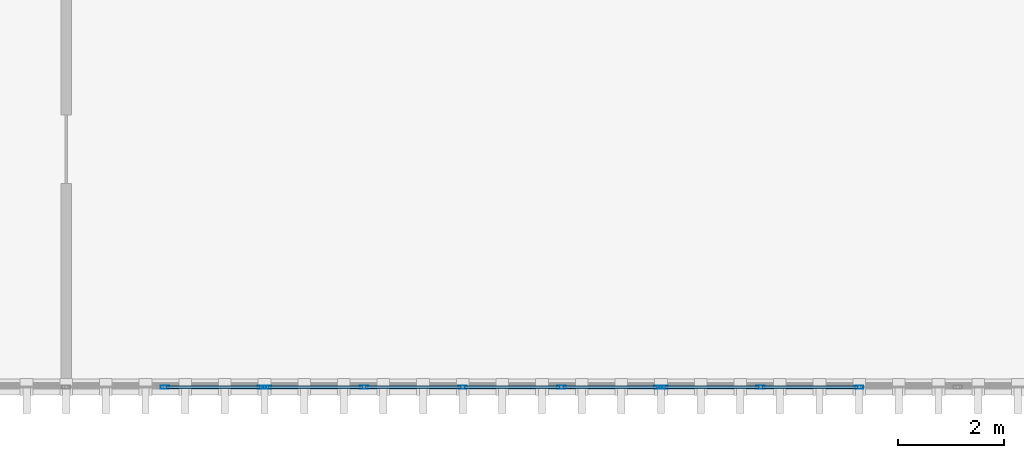
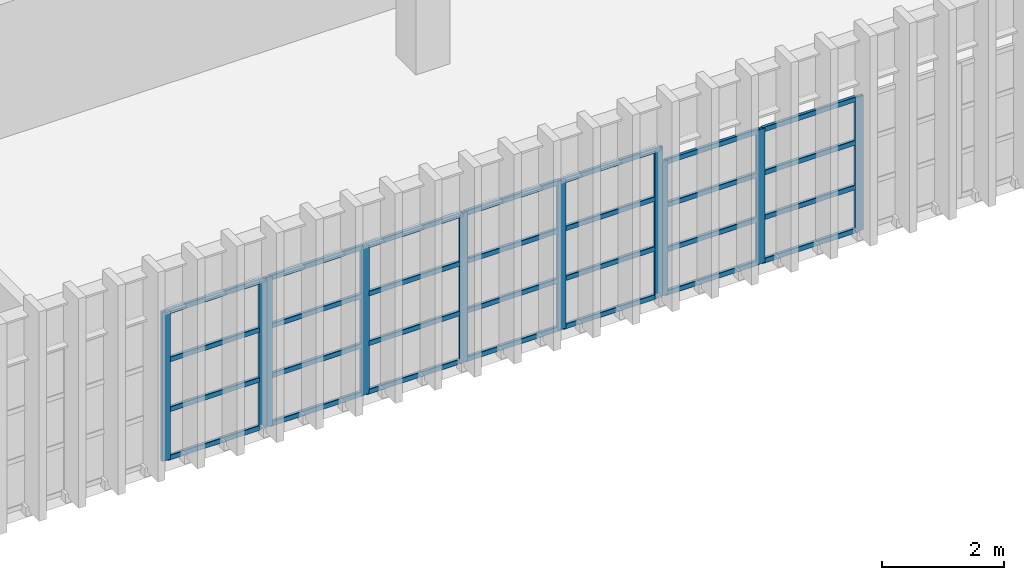
# One storey, part 14 of 51: 38 members, 3 elements without a shape of their own.
"""IFC4 building model written with IfcOpenShell, lengths in metres."""

import ifcopenshell
import ifcopenshell.guid

model = None  # the IFC model being written
_history = None  # IfcOwnerHistory: only IFC2X3 demands one
_inside = {}  # id of a spatial element -> (the spatial element, [elements in it])
_under = {}  # id of a project, library or spatial element -> (it, [spatial elements below it])
_declared = {}  # id of a project -> (the project, [libraries it declares])
_typed = {}  # id of a type object -> (the type object, [elements of that type])
_made_of = {}  # id of a material, layer set ... -> (it, [elements and type objects made of it])


def new_model(schema):
    """Start an empty IFC model of exactly this schema.

    Asked for "IFC4X3", IfcOpenShell would pick the latest addendum, in which some entities
    have other attributes; the version numbers below select the first issue.
    IFC2X3 requires an IfcOwnerHistory on every rooted entity: one is made here for all.
    """
    global model, _history
    if schema == "IFC4X3":
        model = ifcopenshell.file(schema_version=(4, 3, 0, 0))
    else:
        model = ifcopenshell.file(schema=schema)
    _inside.clear()
    _under.clear()
    _declared.clear()
    _typed.clear()
    _made_of.clear()
    _history = None
    if model.schema == "IFC2X3":
        org = make("IfcOrganization", Name="unknown")
        user = make(
            "IfcPersonAndOrganization",
            ThePerson=make("IfcPerson", FamilyName="unknown"),
            TheOrganization=org,
        )
        app = make(
            "IfcApplication",
            ApplicationDeveloper=org,
            Version="unknown",
            ApplicationFullName="unknown",
            ApplicationIdentifier="unknown",
        )
        _history = make(
            "IfcOwnerHistory",
            OwningUser=user,
            OwningApplication=app,
            ChangeAction="ADDED",
            CreationDate=0,
        )
    return model


def make(cls, **values):
    """One entity of the class cls with the attributes given. An attribute that is None is left unset."""
    return model.create_entity(
        cls, **{name: value for name, value in values.items() if value is not None}
    )


def rooted(cls, **values):
    """An entity with a GlobalId (a new one), such as an element, a storey or a relation."""
    return make(cls, GlobalId=ifcopenshell.guid.new(), OwnerHistory=_history, **values)


def si_unit(unit_type, name, prefix=None):
    """IfcSIUnit, for example si_unit("LENGTHUNIT", "METRE", prefix="MILLI")."""
    return make("IfcSIUnit", UnitType=unit_type, Prefix=prefix, Name=name)


def assignment(units):
    """IfcUnitAssignment: the units of a project."""
    return None if units is None else make("IfcUnitAssignment", Units=units)


def point(xyz):
    """IfcCartesianPoint."""
    return None if xyz is None else make("IfcCartesianPoint", Coordinates=xyz)


def direction(xyz):
    """IfcDirection."""
    return None if xyz is None else make("IfcDirection", DirectionRatios=xyz)


def frame(location, z_axis=None, x_axis=None):
    """IfcAxis2Placement3D, a coordinate frame: its origin and axes. An axis left out is left unset."""
    return make(
        "IfcAxis2Placement3D",
        Location=point(location),
        Axis=direction(z_axis),
        RefDirection=direction(x_axis),
    )


def frame_2d(location, x_axis=None):
    """IfcAxis2Placement2D, a coordinate frame in the plane: its origin and x axis."""
    return make(
        "IfcAxis2Placement2D", Location=point(location), RefDirection=direction(x_axis)
    )


def origin():
    """The frame at (0, 0, 0) with its axes left unset."""
    return frame((0.0, 0.0, 0.0))


def origin_2d():
    """The frame at (0, 0) in the plane with its x axis left unset."""
    return frame_2d((0.0, 0.0))


def place(relative_to, where):
    """IfcLocalPlacement: puts the frame where relative to a parent placement (None: the world)."""
    return make(
        "IfcLocalPlacement", PlacementRelTo=relative_to, RelativePlacement=where
    )


def context(
    kind, dimensions, precision=None, world=None, true_north=None, identifier=None
):
    """IfcGeometricRepresentationContext, for example the 3D "Model" context."""
    return make(
        "IfcGeometricRepresentationContext",
        ContextIdentifier=identifier,
        ContextType=kind,
        CoordinateSpaceDimension=dimensions,
        Precision=precision,
        WorldCoordinateSystem=world,
        TrueNorth=true_north,
    )


def subcontext(parent, identifier, kind, view, scale=None):
    """IfcGeometricRepresentationSubContext, for example "Body" below "Model"."""
    return make(
        "IfcGeometricRepresentationSubContext",
        ContextIdentifier=identifier,
        ContextType=kind,
        ParentContext=parent,
        TargetScale=scale,
        TargetView=view,
    )


def project(units=None, contexts=None):
    """IfcProject with its units and contexts."""
    return rooted(
        "IfcProject",
        Name="project",
        RepresentationContexts=contexts,
        UnitsInContext=assignment(units),
    )


def spatial(cls, under=None, at=None, **own):
    """A site, building, storey or space (cls), placed at a placement, below another one or the project."""
    s = rooted(cls, ObjectPlacement=at, **own)
    if under is not None:
        _under.setdefault(under.id(), (under, []))[1].append(s)
    return s


def profile(cls, at=None, kind="AREA", **sizes):
    """A parametric profile (cls). Its sizes go by their IFC names, for example OverallWidth=200.0."""
    return make(cls, ProfileType=kind, Position=at, **sizes)


def hollow_rectangle(**sizes):
    """IfcRectangleHollowProfileDef."""
    return profile("IfcRectangleHollowProfileDef", **sizes)


def extrude(swept, where, along, depth):
    """IfcExtrudedAreaSolid: the profile swept, set in the frame where, extruded along a direction by depth."""
    return make(
        "IfcExtrudedAreaSolid",
        SweptArea=swept,
        Position=where,
        ExtrudedDirection=direction(along),
        Depth=depth,
    )


def shape(context_of_items, identifier, shape_type, items):
    """IfcShapeRepresentation: the items that make up one representation, for example the "Body"."""
    return make(
        "IfcShapeRepresentation",
        ContextOfItems=context_of_items,
        RepresentationIdentifier=identifier,
        RepresentationType=shape_type,
        Items=items,
    )


def material(Name=None, Category=None):
    """IfcMaterial."""
    return make("IfcMaterial", Name=Name, Category=Category)


def material_profile(
    of_material, cross_section, Name=None, Category=None, Priority=None
):
    """IfcMaterialProfile: a cross section and its material."""
    return make(
        "IfcMaterialProfile",
        Name=Name,
        Material=of_material,
        Profile=cross_section,
        Priority=Priority,
        Category=Category,
    )


def profile_set(profiles, Name=None, composite=None):
    """IfcMaterialProfileSet."""
    return make(
        "IfcMaterialProfileSet",
        Name=Name,
        MaterialProfiles=profiles,
        CompositeProfile=composite,
    )


def made_of(thing, what):
    """Note that an element or type object is made of a material, layer set ...; save() writes the relation."""
    if what is not None:
        _made_of.setdefault(what.id(), (what, []))[1].append(thing)
    return thing


def type_object(cls, material=None, **own):
    """A type object (cls), such as IfcWallType, which elements share."""
    return made_of(rooted(cls, **own), material)


def element(
    cls,
    number,
    at=None,
    inside=None,
    cuts=None,
    type_object=None,
    material=None,
    context=None,
    identifier="Body",
    shape_type=None,
    held_by="IfcProductDefinitionShape",
    body=None,
    shapes=None,
    **own,
):
    """One element of the class cls, such as IfcWall. Its Tag is "e" and its number.

    at: its placement. inside: the storey or other place that contains it. cuts: it is an
    opening in that element (IfcRelVoidsElement). A single representation is given by context,
    identifier, shape_type and body (its items); several are given by shapes. held_by: the class
    of the entity that holds the representations. save() writes the other relations.
    """
    e = rooted(cls, Tag="e%d" % number, ObjectPlacement=at, **own)
    if body is not None:
        shapes = [shape(context, identifier, shape_type, body)]
    if shapes is not None:
        e.Representation = make(held_by, Representations=shapes)
    if inside is not None:
        _inside.setdefault(inside.id(), (inside, []))[1].append(e)
    if cuts is not None:
        rooted(
            "IfcRelVoidsElement", RelatingBuildingElement=cuts, RelatedOpeningElement=e
        )
    if type_object is not None:
        _typed.setdefault(type_object.id(), (type_object, []))[1].append(e)
    return made_of(e, material)


def aggregate(whole, parts):
    """IfcRelAggregates: a whole, such as a stair, and the parts it consists of."""
    return rooted("IfcRelAggregates", RelatingObject=whole, RelatedObjects=parts)


def save(model, path):
    """Write the relations noted so far, then the file.

    IfcRelAggregates (storeys below a building ...), IfcRelContainedInSpatialStructure (elements
    in a storey), IfcRelDefinesByType, IfcRelAssociatesMaterial and IfcRelDeclares: one each for
    every whole, place, type object, material and project.
    """
    for whole, parts in _under.values():
        aggregate(whole, parts)
    for where, things in _inside.values():
        rooted(
            "IfcRelContainedInSpatialStructure",
            RelatedElements=things,
            RelatingStructure=where,
        )
    for kind, things in _typed.values():
        rooted("IfcRelDefinesByType", RelatedObjects=things, RelatingType=kind)
    for what, things in _made_of.values():
        rooted("IfcRelAssociatesMaterial", RelatedObjects=things, RelatingMaterial=what)
    for by, libraries in _declared.values():
        rooted("IfcRelDeclares", RelatingContext=by, RelatedDefinitions=libraries)
    model.write(path)


model = new_model("IFC4")

# Units and contexts
model_context = context("Model", 3, precision=1e-05, world=origin(), true_north=direction((0.0, 1.0)))
body_context = subcontext(model_context, "Body", "Model", "MODEL_VIEW")
ifc_project = project(units=[si_unit("LENGTHUNIT", "METRE"), si_unit("AREAUNIT", "SQUARE_METRE"), si_unit("VOLUMEUNIT", "CUBIC_METRE"), si_unit("PLANEANGLEUNIT", "RADIAN"), si_unit("MASSUNIT", "GRAM", prefix="KILO")], contexts=[model_context])

# Site, building, storey
site_placement = place(None, origin())
site = spatial("IfcSite", under=ifc_project, at=site_placement, CompositionType="ELEMENT")
building_placement = place(site_placement, origin())
building = spatial("IfcBuilding", under=site, at=building_placement, Name="Qasida Concert Hall", CompositionType="ELEMENT")
storey_placement = place(building_placement, frame((0.0, 0.0, 21.0)))
storey = spatial("IfcBuildingStorey", under=building, at=storey_placement, Name="L05", CompositionType="ELEMENT", Elevation=21.0)

# Curtain wall, members
ifc_material_1 = material(Name="Architectural bronze-anodized aluminium and low-E glass", Category="aluminium")
curtain_wall_type = type_object("IfcCurtainWallType", Name="CW-05", PredefinedType="NOTDEFINED", material=ifc_material_1)
curtain_wall_1_placement = place(storey_placement, origin())
curtain_wall_1 = element("IfcCurtainWall", 1, at=curtain_wall_1_placement, inside=storey, type_object=curtain_wall_type, Name="L05 curtain wall CW-05 0032", PredefinedType="NOTDEFINED")
ifc_material_2 = material(Name="Architectural bronze-anodized aluminium EN AW-6063", Category="aluminium")
ifc_material_profile_1 = material_profile(ifc_material_2, hollow_rectangle(XDim=0.06005859375, YDim=0.159912109375, WallThickness=0.00390625, InnerFilletRadius=0.00390625, OuterFilletRadius=0.008056640625, at=origin_2d()), Name="CWM 160x60x4")
ifc_profile_set_1 = profile_set([ifc_material_profile_1], Name="Architectural bronze-anodized aluminium EN AW-6063")
member_type_1 = type_object("IfcMemberType", Name="MB-CWM-3", PredefinedType="MULLION", material=ifc_profile_set_1)
member_1_placement = place(storey_placement, frame((80.614990234375, 14.699951171875, 0.0), z_axis=(0.0, 0.0, 1.0), x_axis=(0.0, 1.0, 0.0)))
member_1 = element("IfcMember", 2, at=member_1_placement, type_object=member_type_1, Name="CW-05 mullion 4", PredefinedType="MULLION", context=body_context, shape_type="SweptSolid", body=[
    extrude(hollow_rectangle(XDim=0.06005859375, YDim=0.159912109375, WallThickness=0.00390625, InnerFilletRadius=0.00390625, OuterFilletRadius=0.008056640625, at=origin_2d()), origin(), (0.0, 0.0, 1.0), 2.989990234375),
])
member_2_placement = place(storey_placement, frame((82.449951171875, 14.699951171875, 0.0), z_axis=(0.0, 0.0, 1.0), x_axis=(0.0, 1.0, 0.0)))
member_2 = element("IfcMember", 3, at=member_2_placement, type_object=member_type_1, Name="CW-05 mullion 5", PredefinedType="MULLION", context=body_context, shape_type="SweptSolid", body=[
    extrude(hollow_rectangle(XDim=0.06005859375, YDim=0.159912109375, WallThickness=0.00390625, InnerFilletRadius=0.00390625, OuterFilletRadius=0.008056640625, at=origin_2d()), origin(), (0.0, 0.0, 1.0), 2.989990234375),
])

curtain_wall_2_placement = place(storey_placement, origin())
curtain_wall_2 = element("IfcCurtainWall", 4, at=curtain_wall_2_placement, inside=storey, type_object=curtain_wall_type, Name="L05 curtain wall CW-05 0033", PredefinedType="NOTDEFINED")
member_3_placement = place(storey_placement, frame((82.550048828125, 14.699951171875, 0.0), z_axis=(0.0, 0.0, 1.0), x_axis=(0.0, 1.0, 0.0)))
member_3 = element("IfcMember", 5, at=member_3_placement, type_object=member_type_1, Name="CW-05 mullion 1", PredefinedType="MULLION", context=body_context, shape_type="SweptSolid", body=[
    extrude(hollow_rectangle(XDim=0.06005859375, YDim=0.159912109375, WallThickness=0.00390625, InnerFilletRadius=0.00390625, OuterFilletRadius=0.008056640625, at=origin_2d()), origin(), (0.0, 0.0, 1.0), 2.989990234375),
])
member_4_placement = place(storey_placement, frame((84.385009765625, 14.699951171875, 0.0), z_axis=(0.0, 0.0, 1.0), x_axis=(0.0, 1.0, 0.0)))
member_4 = element("IfcMember", 6, at=member_4_placement, type_object=member_type_1, Name="CW-05 mullion 2", PredefinedType="MULLION", context=body_context, shape_type="SweptSolid", body=[
    extrude(hollow_rectangle(XDim=0.06005859375, YDim=0.159912109375, WallThickness=0.00390625, InnerFilletRadius=0.00390625, OuterFilletRadius=0.008056640625, at=origin_2d()), origin(), (0.0, 0.0, 1.0), 2.989990234375),
])
member_5_placement = place(storey_placement, frame((86.25, 14.699951171875, 0.0), z_axis=(0.0, 0.0, 1.0), x_axis=(0.0, 1.0, 0.0)))
member_5 = element("IfcMember", 7, at=member_5_placement, type_object=member_type_1, Name="CW-05 mullion 3", PredefinedType="MULLION", context=body_context, shape_type="SweptSolid", body=[
    extrude(hollow_rectangle(XDim=0.06005859375, YDim=0.159912109375, WallThickness=0.00390625, InnerFilletRadius=0.00390625, OuterFilletRadius=0.008056640625, at=origin_2d()), origin(), (0.0, 0.0, 1.0), 2.989990234375),
])
member_6_placement = place(storey_placement, frame((88.114990234375, 14.699951171875, 0.0), z_axis=(0.0, 0.0, 1.0), x_axis=(0.0, 1.0, 0.0)))
member_6 = element("IfcMember", 8, at=member_6_placement, type_object=member_type_1, Name="CW-05 mullion 4", PredefinedType="MULLION", context=body_context, shape_type="SweptSolid", body=[
    extrude(hollow_rectangle(XDim=0.06005859375, YDim=0.159912109375, WallThickness=0.00390625, InnerFilletRadius=0.00390625, OuterFilletRadius=0.008056640625, at=origin_2d()), origin(), (0.0, 0.0, 1.0), 2.989990234375),
])
member_7_placement = place(storey_placement, frame((89.949951171875, 14.699951171875, 0.0), z_axis=(0.0, 0.0, 1.0), x_axis=(0.0, 1.0, 0.0)))
member_7 = element("IfcMember", 9, at=member_7_placement, type_object=member_type_1, Name="CW-05 mullion 5", PredefinedType="MULLION", context=body_context, shape_type="SweptSolid", body=[
    extrude(hollow_rectangle(XDim=0.06005859375, YDim=0.159912109375, WallThickness=0.00390625, InnerFilletRadius=0.00390625, OuterFilletRadius=0.008056640625, at=origin_2d()), origin(), (0.0, 0.0, 1.0), 2.989990234375),
])

curtain_wall_3_placement = place(storey_placement, origin())
curtain_wall_3 = element("IfcCurtainWall", 10, at=curtain_wall_3_placement, inside=storey, type_object=curtain_wall_type, Name="L05 curtain wall CW-05 0034", PredefinedType="NOTDEFINED")
member_8_placement = place(storey_placement, frame((90.050048828125, 14.699951171875, 0.0), z_axis=(0.0, 0.0, 1.0), x_axis=(0.0, 1.0, 0.0)))
member_8 = element("IfcMember", 11, at=member_8_placement, type_object=member_type_1, Name="CW-05 mullion 1", PredefinedType="MULLION", context=body_context, shape_type="SweptSolid", body=[
    extrude(hollow_rectangle(XDim=0.06005859375, YDim=0.159912109375, WallThickness=0.00390625, InnerFilletRadius=0.00390625, OuterFilletRadius=0.008056640625, at=origin_2d()), origin(), (0.0, 0.0, 1.0), 2.68994140625),
])
member_9_placement = place(storey_placement, frame((91.885009765625, 14.699951171875, 0.0), z_axis=(0.0, 0.0, 1.0), x_axis=(0.0, 1.0, 0.0)))
member_9 = element("IfcMember", 12, at=member_9_placement, type_object=member_type_1, Name="CW-05 mullion 2", PredefinedType="MULLION", context=body_context, shape_type="SweptSolid", body=[
    extrude(hollow_rectangle(XDim=0.06005859375, YDim=0.159912109375, WallThickness=0.00390625, InnerFilletRadius=0.00390625, OuterFilletRadius=0.008056640625, at=origin_2d()), origin(), (0.0, 0.0, 1.0), 2.68994140625),
])
member_10_placement = place(storey_placement, frame((93.75, 14.699951171875, 0.0), z_axis=(0.0, 0.0, 1.0), x_axis=(0.0, 1.0, 0.0)))
member_10 = element("IfcMember", 13, at=member_10_placement, type_object=member_type_1, Name="CW-05 mullion 3", PredefinedType="MULLION", context=body_context, shape_type="SweptSolid", body=[
    extrude(hollow_rectangle(XDim=0.06005859375, YDim=0.159912109375, WallThickness=0.00390625, InnerFilletRadius=0.00390625, OuterFilletRadius=0.008056640625, at=origin_2d()), origin(), (0.0, 0.0, 1.0), 2.68994140625),
])

# Member
ifc_material_profile_2 = material_profile(ifc_material_2, hollow_rectangle(XDim=0.06005859375, YDim=0.10009765625, WallThickness=0.00341796875, InnerFilletRadius=0.00341796875, OuterFilletRadius=0.007080078125, at=origin_2d()), Name="CWT 100x60x3.5")
ifc_profile_set_2 = profile_set([ifc_material_profile_2], Name="Architectural bronze-anodized aluminium EN AW-6063")
member_type_2 = type_object("IfcMemberType", Name="MB-CWT-3", PredefinedType="USERDEFINED", material=ifc_profile_set_2)
member_11_placement = place(storey_placement, frame((80.64501953125, 14.699951171875, 0.030029296875), z_axis=(1.0, 0.0, 0.0), x_axis=(0.0, 1.0, 0.0)))
member_11 = element("IfcMember", 14, at=member_11_placement, type_object=member_type_2, Name="CW-05 transom 4.1", ObjectType="TRANSOM", PredefinedType="USERDEFINED", context=body_context, shape_type="SweptSolid", body=[
    extrude(hollow_rectangle(XDim=0.06005859375, YDim=0.10009765625, WallThickness=0.00341796875, InnerFilletRadius=0.00341796875, OuterFilletRadius=0.007080078125, at=origin_2d()), origin(), (0.0, 0.0, 1.0), 1.77490234375),
])

member_12_placement = place(storey_placement, frame((80.64501953125, 14.699951171875, 0.99658203125), z_axis=(1.0, 0.0, 0.0), x_axis=(0.0, 1.0, 0.0)))
member_12 = element("IfcMember", 15, at=member_12_placement, type_object=member_type_2, Name="CW-05 transom 4.2", ObjectType="TRANSOM", PredefinedType="USERDEFINED", context=body_context, shape_type="SweptSolid", body=[
    extrude(hollow_rectangle(XDim=0.06005859375, YDim=0.10009765625, WallThickness=0.00341796875, InnerFilletRadius=0.00341796875, OuterFilletRadius=0.007080078125, at=origin_2d()), origin(), (0.0, 0.0, 1.0), 1.77490234375),
])

member_13_placement = place(storey_placement, frame((80.64501953125, 14.699951171875, 1.993408203125), z_axis=(1.0, 0.0, 0.0), x_axis=(0.0, 1.0, 0.0)))
member_13 = element("IfcMember", 16, at=member_13_placement, type_object=member_type_2, Name="CW-05 transom 4.3", ObjectType="TRANSOM", PredefinedType="USERDEFINED", context=body_context, shape_type="SweptSolid", body=[
    extrude(hollow_rectangle(XDim=0.06005859375, YDim=0.10009765625, WallThickness=0.00341796875, InnerFilletRadius=0.00341796875, OuterFilletRadius=0.007080078125, at=origin_2d()), origin(), (0.0, 0.0, 1.0), 1.77490234375),
])

member_14_placement = place(storey_placement, frame((80.64501953125, 14.699951171875, 2.9599609375), z_axis=(1.0, 0.0, 0.0), x_axis=(0.0, 1.0, 0.0)))
member_14 = element("IfcMember", 17, at=member_14_placement, type_object=member_type_2, Name="CW-05 transom 4.4", ObjectType="TRANSOM", PredefinedType="USERDEFINED", context=body_context, shape_type="SweptSolid", body=[
    extrude(hollow_rectangle(XDim=0.06005859375, YDim=0.10009765625, WallThickness=0.00341796875, InnerFilletRadius=0.00341796875, OuterFilletRadius=0.007080078125, at=origin_2d()), origin(), (0.0, 0.0, 1.0), 1.77490234375),
])

aggregate(curtain_wall_1, [member_1, member_2, member_11, member_12, member_13, member_14])

member_15_placement = place(storey_placement, frame((82.580078125, 14.699951171875, 0.030029296875), z_axis=(1.0, 0.0, 0.0), x_axis=(0.0, 1.0, 0.0)))
member_15 = element("IfcMember", 18, at=member_15_placement, type_object=member_type_2, Name="CW-05 transom 1.1", ObjectType="TRANSOM", PredefinedType="USERDEFINED", context=body_context, shape_type="SweptSolid", body=[
    extrude(hollow_rectangle(XDim=0.06005859375, YDim=0.10009765625, WallThickness=0.00341796875, InnerFilletRadius=0.00341796875, OuterFilletRadius=0.007080078125, at=origin_2d()), origin(), (0.0, 0.0, 1.0), 1.77490234375),
])

member_16_placement = place(storey_placement, frame((82.580078125, 14.699951171875, 0.99658203125), z_axis=(1.0, 0.0, 0.0), x_axis=(0.0, 1.0, 0.0)))
member_16 = element("IfcMember", 19, at=member_16_placement, type_object=member_type_2, Name="CW-05 transom 1.2", ObjectType="TRANSOM", PredefinedType="USERDEFINED", context=body_context, shape_type="SweptSolid", body=[
    extrude(hollow_rectangle(XDim=0.06005859375, YDim=0.10009765625, WallThickness=0.00341796875, InnerFilletRadius=0.00341796875, OuterFilletRadius=0.007080078125, at=origin_2d()), origin(), (0.0, 0.0, 1.0), 1.77490234375),
])

member_17_placement = place(storey_placement, frame((82.580078125, 14.699951171875, 1.993408203125), z_axis=(1.0, 0.0, 0.0), x_axis=(0.0, 1.0, 0.0)))
member_17 = element("IfcMember", 20, at=member_17_placement, type_object=member_type_2, Name="CW-05 transom 1.3", ObjectType="TRANSOM", PredefinedType="USERDEFINED", context=body_context, shape_type="SweptSolid", body=[
    extrude(hollow_rectangle(XDim=0.06005859375, YDim=0.10009765625, WallThickness=0.00341796875, InnerFilletRadius=0.00341796875, OuterFilletRadius=0.007080078125, at=origin_2d()), origin(), (0.0, 0.0, 1.0), 1.77490234375),
])

member_18_placement = place(storey_placement, frame((82.580078125, 14.699951171875, 2.9599609375), z_axis=(1.0, 0.0, 0.0), x_axis=(0.0, 1.0, 0.0)))
member_18 = element("IfcMember", 21, at=member_18_placement, type_object=member_type_2, Name="CW-05 transom 1.4", ObjectType="TRANSOM", PredefinedType="USERDEFINED", context=body_context, shape_type="SweptSolid", body=[
    extrude(hollow_rectangle(XDim=0.06005859375, YDim=0.10009765625, WallThickness=0.00341796875, InnerFilletRadius=0.00341796875, OuterFilletRadius=0.007080078125, at=origin_2d()), origin(), (0.0, 0.0, 1.0), 1.77490234375),
])

member_19_placement = place(storey_placement, frame((84.4150390625, 14.699951171875, 0.030029296875), z_axis=(1.0, 0.0, 0.0), x_axis=(0.0, 1.0, 0.0)))
member_19 = element("IfcMember", 22, at=member_19_placement, type_object=member_type_2, Name="CW-05 transom 2.1", ObjectType="TRANSOM", PredefinedType="USERDEFINED", context=body_context, shape_type="SweptSolid", body=[
    extrude(hollow_rectangle(XDim=0.06005859375, YDim=0.10009765625, WallThickness=0.00341796875, InnerFilletRadius=0.00341796875, OuterFilletRadius=0.007080078125, at=origin_2d()), origin(), (0.0, 0.0, 1.0), 1.804931640625),
])

member_20_placement = place(storey_placement, frame((84.4150390625, 14.699951171875, 0.99658203125), z_axis=(1.0, 0.0, 0.0), x_axis=(0.0, 1.0, 0.0)))
member_20 = element("IfcMember", 23, at=member_20_placement, type_object=member_type_2, Name="CW-05 transom 2.2", ObjectType="TRANSOM", PredefinedType="USERDEFINED", context=body_context, shape_type="SweptSolid", body=[
    extrude(hollow_rectangle(XDim=0.06005859375, YDim=0.10009765625, WallThickness=0.00341796875, InnerFilletRadius=0.00341796875, OuterFilletRadius=0.007080078125, at=origin_2d()), origin(), (0.0, 0.0, 1.0), 1.804931640625),
])

member_21_placement = place(storey_placement, frame((84.4150390625, 14.699951171875, 1.993408203125), z_axis=(1.0, 0.0, 0.0), x_axis=(0.0, 1.0, 0.0)))
member_21 = element("IfcMember", 24, at=member_21_placement, type_object=member_type_2, Name="CW-05 transom 2.3", ObjectType="TRANSOM", PredefinedType="USERDEFINED", context=body_context, shape_type="SweptSolid", body=[
    extrude(hollow_rectangle(XDim=0.06005859375, YDim=0.10009765625, WallThickness=0.00341796875, InnerFilletRadius=0.00341796875, OuterFilletRadius=0.007080078125, at=origin_2d()), origin(), (0.0, 0.0, 1.0), 1.804931640625),
])

member_22_placement = place(storey_placement, frame((84.4150390625, 14.699951171875, 2.9599609375), z_axis=(1.0, 0.0, 0.0), x_axis=(0.0, 1.0, 0.0)))
member_22 = element("IfcMember", 25, at=member_22_placement, type_object=member_type_2, Name="CW-05 transom 2.4", ObjectType="TRANSOM", PredefinedType="USERDEFINED", context=body_context, shape_type="SweptSolid", body=[
    extrude(hollow_rectangle(XDim=0.06005859375, YDim=0.10009765625, WallThickness=0.00341796875, InnerFilletRadius=0.00341796875, OuterFilletRadius=0.007080078125, at=origin_2d()), origin(), (0.0, 0.0, 1.0), 1.804931640625),
])

member_23_placement = place(storey_placement, frame((86.280029296875, 14.699951171875, 0.030029296875), z_axis=(1.0, 0.0, 0.0), x_axis=(0.0, 1.0, 0.0)))
member_23 = element("IfcMember", 26, at=member_23_placement, type_object=member_type_2, Name="CW-05 transom 3.1", ObjectType="TRANSOM", PredefinedType="USERDEFINED", context=body_context, shape_type="SweptSolid", body=[
    extrude(hollow_rectangle(XDim=0.06005859375, YDim=0.10009765625, WallThickness=0.00341796875, InnerFilletRadius=0.00341796875, OuterFilletRadius=0.007080078125, at=origin_2d()), origin(), (0.0, 0.0, 1.0), 1.804931640625),
])

member_24_placement = place(storey_placement, frame((86.280029296875, 14.699951171875, 0.99658203125), z_axis=(1.0, 0.0, 0.0), x_axis=(0.0, 1.0, 0.0)))
member_24 = element("IfcMember", 27, at=member_24_placement, type_object=member_type_2, Name="CW-05 transom 3.2", ObjectType="TRANSOM", PredefinedType="USERDEFINED", context=body_context, shape_type="SweptSolid", body=[
    extrude(hollow_rectangle(XDim=0.06005859375, YDim=0.10009765625, WallThickness=0.00341796875, InnerFilletRadius=0.00341796875, OuterFilletRadius=0.007080078125, at=origin_2d()), origin(), (0.0, 0.0, 1.0), 1.804931640625),
])

member_25_placement = place(storey_placement, frame((86.280029296875, 14.699951171875, 1.993408203125), z_axis=(1.0, 0.0, 0.0), x_axis=(0.0, 1.0, 0.0)))
member_25 = element("IfcMember", 28, at=member_25_placement, type_object=member_type_2, Name="CW-05 transom 3.3", ObjectType="TRANSOM", PredefinedType="USERDEFINED", context=body_context, shape_type="SweptSolid", body=[
    extrude(hollow_rectangle(XDim=0.06005859375, YDim=0.10009765625, WallThickness=0.00341796875, InnerFilletRadius=0.00341796875, OuterFilletRadius=0.007080078125, at=origin_2d()), origin(), (0.0, 0.0, 1.0), 1.804931640625),
])

member_26_placement = place(storey_placement, frame((86.280029296875, 14.699951171875, 2.9599609375), z_axis=(1.0, 0.0, 0.0), x_axis=(0.0, 1.0, 0.0)))
member_26 = element("IfcMember", 29, at=member_26_placement, type_object=member_type_2, Name="CW-05 transom 3.4", ObjectType="TRANSOM", PredefinedType="USERDEFINED", context=body_context, shape_type="SweptSolid", body=[
    extrude(hollow_rectangle(XDim=0.06005859375, YDim=0.10009765625, WallThickness=0.00341796875, InnerFilletRadius=0.00341796875, OuterFilletRadius=0.007080078125, at=origin_2d()), origin(), (0.0, 0.0, 1.0), 1.804931640625),
])

member_27_placement = place(storey_placement, frame((88.14501953125, 14.699951171875, 0.030029296875), z_axis=(1.0, 0.0, 0.0), x_axis=(0.0, 1.0, 0.0)))
member_27 = element("IfcMember", 30, at=member_27_placement, type_object=member_type_2, Name="CW-05 transom 4.1", ObjectType="TRANSOM", PredefinedType="USERDEFINED", context=body_context, shape_type="SweptSolid", body=[
    extrude(hollow_rectangle(XDim=0.06005859375, YDim=0.10009765625, WallThickness=0.00341796875, InnerFilletRadius=0.00341796875, OuterFilletRadius=0.007080078125, at=origin_2d()), origin(), (0.0, 0.0, 1.0), 1.77490234375),
])

member_28_placement = place(storey_placement, frame((88.14501953125, 14.699951171875, 0.99658203125), z_axis=(1.0, 0.0, 0.0), x_axis=(0.0, 1.0, 0.0)))
member_28 = element("IfcMember", 31, at=member_28_placement, type_object=member_type_2, Name="CW-05 transom 4.2", ObjectType="TRANSOM", PredefinedType="USERDEFINED", context=body_context, shape_type="SweptSolid", body=[
    extrude(hollow_rectangle(XDim=0.06005859375, YDim=0.10009765625, WallThickness=0.00341796875, InnerFilletRadius=0.00341796875, OuterFilletRadius=0.007080078125, at=origin_2d()), origin(), (0.0, 0.0, 1.0), 1.77490234375),
])

member_29_placement = place(storey_placement, frame((88.14501953125, 14.699951171875, 1.993408203125), z_axis=(1.0, 0.0, 0.0), x_axis=(0.0, 1.0, 0.0)))
member_29 = element("IfcMember", 32, at=member_29_placement, type_object=member_type_2, Name="CW-05 transom 4.3", ObjectType="TRANSOM", PredefinedType="USERDEFINED", context=body_context, shape_type="SweptSolid", body=[
    extrude(hollow_rectangle(XDim=0.06005859375, YDim=0.10009765625, WallThickness=0.00341796875, InnerFilletRadius=0.00341796875, OuterFilletRadius=0.007080078125, at=origin_2d()), origin(), (0.0, 0.0, 1.0), 1.77490234375),
])

member_30_placement = place(storey_placement, frame((88.14501953125, 14.699951171875, 2.9599609375), z_axis=(1.0, 0.0, 0.0), x_axis=(0.0, 1.0, 0.0)))
member_30 = element("IfcMember", 33, at=member_30_placement, type_object=member_type_2, Name="CW-05 transom 4.4", ObjectType="TRANSOM", PredefinedType="USERDEFINED", context=body_context, shape_type="SweptSolid", body=[
    extrude(hollow_rectangle(XDim=0.06005859375, YDim=0.10009765625, WallThickness=0.00341796875, InnerFilletRadius=0.00341796875, OuterFilletRadius=0.007080078125, at=origin_2d()), origin(), (0.0, 0.0, 1.0), 1.77490234375),
])

aggregate(curtain_wall_2, [member_3, member_4, member_5, member_6, member_7, member_15, member_16, member_17, member_18, member_19, member_20, member_21, member_22, member_23, member_24, member_25, member_26, member_27, member_28, member_29, member_30])

member_31_placement = place(storey_placement, frame((90.080078125, 14.699951171875, 0.030029296875), z_axis=(1.0, 0.0, 0.0), x_axis=(0.0, 1.0, 0.0)))
member_31 = element("IfcMember", 34, at=member_31_placement, type_object=member_type_2, Name="CW-05 transom 1.1", ObjectType="TRANSOM", PredefinedType="USERDEFINED", context=body_context, shape_type="SweptSolid", body=[
    extrude(hollow_rectangle(XDim=0.06005859375, YDim=0.10009765625, WallThickness=0.00341796875, InnerFilletRadius=0.00341796875, OuterFilletRadius=0.007080078125, at=origin_2d()), origin(), (0.0, 0.0, 1.0), 1.77490234375),
])

member_32_placement = place(storey_placement, frame((90.080078125, 14.699951171875, 0.896728515625), z_axis=(1.0, 0.0, 0.0), x_axis=(0.0, 1.0, 0.0)))
member_32 = element("IfcMember", 35, at=member_32_placement, type_object=member_type_2, Name="CW-05 transom 1.2", ObjectType="TRANSOM", PredefinedType="USERDEFINED", context=body_context, shape_type="SweptSolid", body=[
    extrude(hollow_rectangle(XDim=0.06005859375, YDim=0.10009765625, WallThickness=0.00341796875, InnerFilletRadius=0.00341796875, OuterFilletRadius=0.007080078125, at=origin_2d()), origin(), (0.0, 0.0, 1.0), 1.77490234375),
])

member_33_placement = place(storey_placement, frame((90.080078125, 14.699951171875, 1.793212890625), z_axis=(1.0, 0.0, 0.0), x_axis=(0.0, 1.0, 0.0)))
member_33 = element("IfcMember", 36, at=member_33_placement, type_object=member_type_2, Name="CW-05 transom 1.3", ObjectType="TRANSOM", PredefinedType="USERDEFINED", context=body_context, shape_type="SweptSolid", body=[
    extrude(hollow_rectangle(XDim=0.06005859375, YDim=0.10009765625, WallThickness=0.00341796875, InnerFilletRadius=0.00341796875, OuterFilletRadius=0.007080078125, at=origin_2d()), origin(), (0.0, 0.0, 1.0), 1.77490234375),
])

member_34_placement = place(storey_placement, frame((90.080078125, 14.699951171875, 2.659912109375), z_axis=(1.0, 0.0, 0.0), x_axis=(0.0, 1.0, 0.0)))
member_34 = element("IfcMember", 37, at=member_34_placement, type_object=member_type_2, Name="CW-05 transom 1.4", ObjectType="TRANSOM", PredefinedType="USERDEFINED", context=body_context, shape_type="SweptSolid", body=[
    extrude(hollow_rectangle(XDim=0.06005859375, YDim=0.10009765625, WallThickness=0.00341796875, InnerFilletRadius=0.00341796875, OuterFilletRadius=0.007080078125, at=origin_2d()), origin(), (0.0, 0.0, 1.0), 1.77490234375),
])

member_35_placement = place(storey_placement, frame((91.9150390625, 14.699951171875, 0.030029296875), z_axis=(1.0, 0.0, 0.0), x_axis=(0.0, 1.0, 0.0)))
member_35 = element("IfcMember", 38, at=member_35_placement, type_object=member_type_2, Name="CW-05 transom 2.1", ObjectType="TRANSOM", PredefinedType="USERDEFINED", context=body_context, shape_type="SweptSolid", body=[
    extrude(hollow_rectangle(XDim=0.06005859375, YDim=0.10009765625, WallThickness=0.00341796875, InnerFilletRadius=0.00341796875, OuterFilletRadius=0.007080078125, at=origin_2d()), origin(), (0.0, 0.0, 1.0), 1.804931640625),
])

member_36_placement = place(storey_placement, frame((91.9150390625, 14.699951171875, 0.896728515625), z_axis=(1.0, 0.0, 0.0), x_axis=(0.0, 1.0, 0.0)))
member_36 = element("IfcMember", 39, at=member_36_placement, type_object=member_type_2, Name="CW-05 transom 2.2", ObjectType="TRANSOM", PredefinedType="USERDEFINED", context=body_context, shape_type="SweptSolid", body=[
    extrude(hollow_rectangle(XDim=0.06005859375, YDim=0.10009765625, WallThickness=0.00341796875, InnerFilletRadius=0.00341796875, OuterFilletRadius=0.007080078125, at=origin_2d()), origin(), (0.0, 0.0, 1.0), 1.804931640625),
])

member_37_placement = place(storey_placement, frame((91.9150390625, 14.699951171875, 1.793212890625), z_axis=(1.0, 0.0, 0.0), x_axis=(0.0, 1.0, 0.0)))
member_37 = element("IfcMember", 40, at=member_37_placement, type_object=member_type_2, Name="CW-05 transom 2.3", ObjectType="TRANSOM", PredefinedType="USERDEFINED", context=body_context, shape_type="SweptSolid", body=[
    extrude(hollow_rectangle(XDim=0.06005859375, YDim=0.10009765625, WallThickness=0.00341796875, InnerFilletRadius=0.00341796875, OuterFilletRadius=0.007080078125, at=origin_2d()), origin(), (0.0, 0.0, 1.0), 1.804931640625),
])

member_38_placement = place(storey_placement, frame((91.9150390625, 14.699951171875, 2.659912109375), z_axis=(1.0, 0.0, 0.0), x_axis=(0.0, 1.0, 0.0)))
member_38 = element("IfcMember", 41, at=member_38_placement, type_object=member_type_2, Name="CW-05 transom 2.4", ObjectType="TRANSOM", PredefinedType="USERDEFINED", context=body_context, shape_type="SweptSolid", body=[
    extrude(hollow_rectangle(XDim=0.06005859375, YDim=0.10009765625, WallThickness=0.00341796875, InnerFilletRadius=0.00341796875, OuterFilletRadius=0.007080078125, at=origin_2d()), origin(), (0.0, 0.0, 1.0), 1.804931640625),
])

aggregate(curtain_wall_3, [member_8, member_9, member_10, member_31, member_32, member_33, member_34, member_35, member_36, member_37, member_38])

save(model, "model.ifc")
